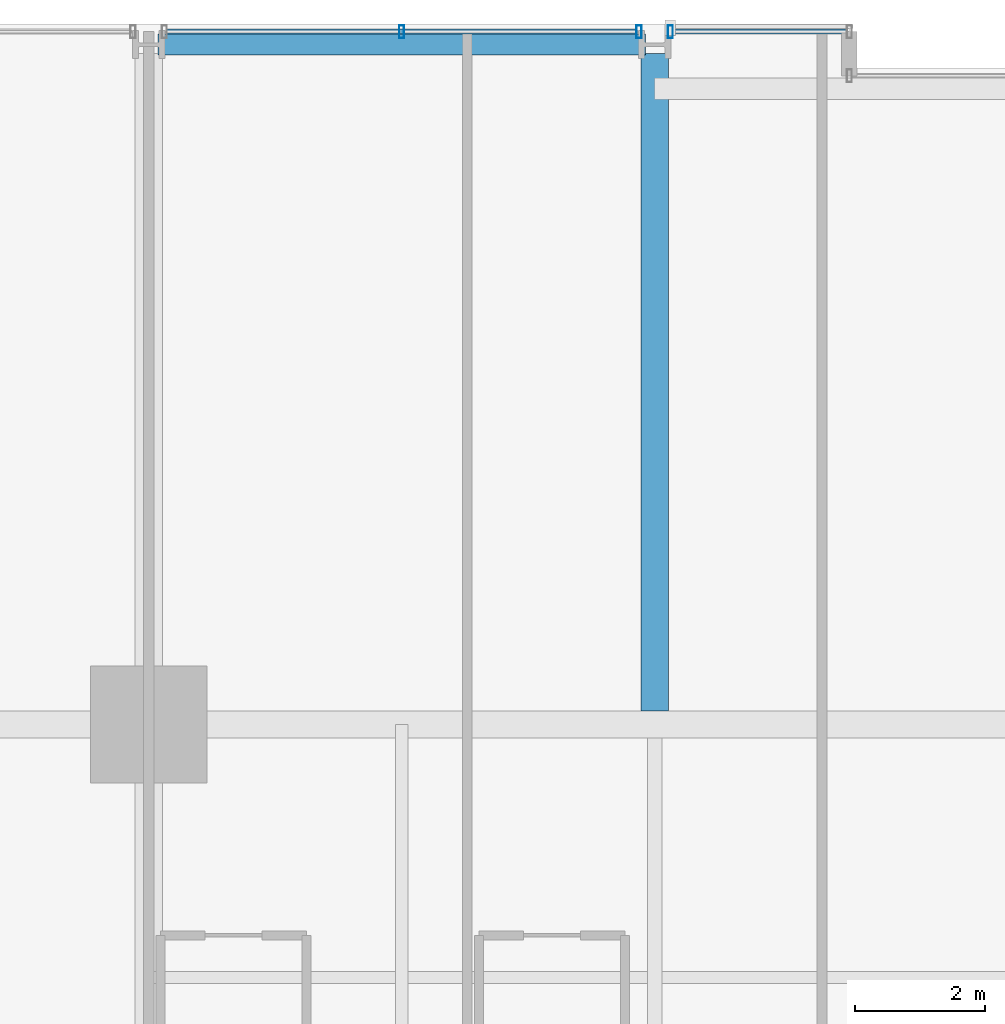
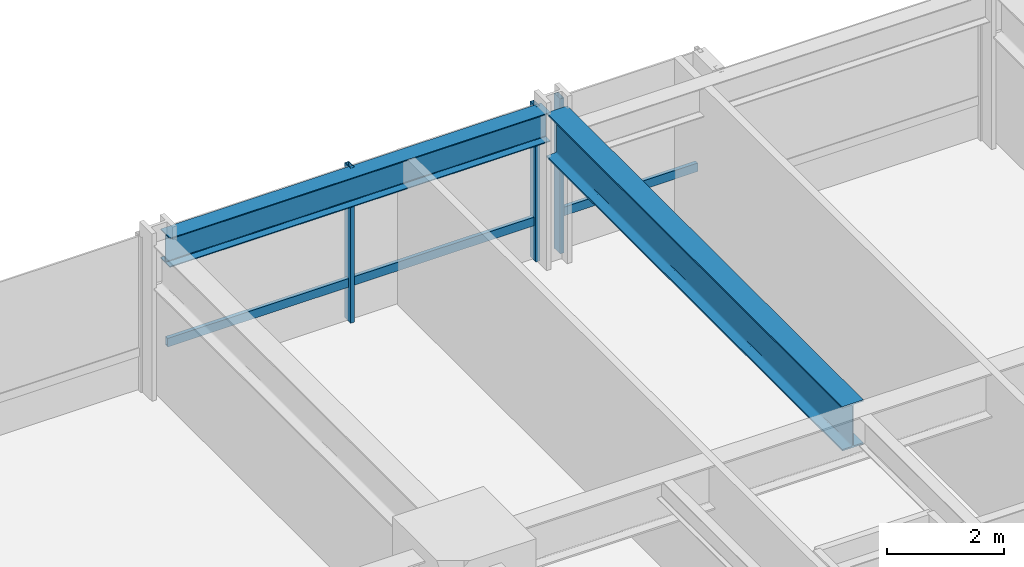
# One storey, part 22 of 39: 5 members, 2 beams, 2 elements without a shape of their own.
"""IFC4 building model written with IfcOpenShell, lengths in metres."""

import ifcopenshell
import ifcopenshell.guid

model = None  # the IFC model being written
_history = None  # IfcOwnerHistory: only IFC2X3 demands one
_inside = {}  # id of a spatial element -> (the spatial element, [elements in it])
_under = {}  # id of a project, library or spatial element -> (it, [spatial elements below it])
_declared = {}  # id of a project -> (the project, [libraries it declares])
_typed = {}  # id of a type object -> (the type object, [elements of that type])
_made_of = {}  # id of a material, layer set ... -> (it, [elements and type objects made of it])


def new_model(schema):
    """Start an empty IFC model of exactly this schema.

    Asked for "IFC4X3", IfcOpenShell would pick the latest addendum, in which some entities
    have other attributes; the version numbers below select the first issue.
    IFC2X3 requires an IfcOwnerHistory on every rooted entity: one is made here for all.
    """
    global model, _history
    if schema == "IFC4X3":
        model = ifcopenshell.file(schema_version=(4, 3, 0, 0))
    else:
        model = ifcopenshell.file(schema=schema)
    _inside.clear()
    _under.clear()
    _declared.clear()
    _typed.clear()
    _made_of.clear()
    _history = None
    if model.schema == "IFC2X3":
        org = make("IfcOrganization", Name="unknown")
        user = make(
            "IfcPersonAndOrganization",
            ThePerson=make("IfcPerson", FamilyName="unknown"),
            TheOrganization=org,
        )
        app = make(
            "IfcApplication",
            ApplicationDeveloper=org,
            Version="unknown",
            ApplicationFullName="unknown",
            ApplicationIdentifier="unknown",
        )
        _history = make(
            "IfcOwnerHistory",
            OwningUser=user,
            OwningApplication=app,
            ChangeAction="ADDED",
            CreationDate=0,
        )
    return model


def make(cls, **values):
    """One entity of the class cls with the attributes given. An attribute that is None is left unset."""
    return model.create_entity(
        cls, **{name: value for name, value in values.items() if value is not None}
    )


def rooted(cls, **values):
    """An entity with a GlobalId (a new one), such as an element, a storey or a relation."""
    return make(cls, GlobalId=ifcopenshell.guid.new(), OwnerHistory=_history, **values)


def si_unit(unit_type, name, prefix=None):
    """IfcSIUnit, for example si_unit("LENGTHUNIT", "METRE", prefix="MILLI")."""
    return make("IfcSIUnit", UnitType=unit_type, Prefix=prefix, Name=name)


def assignment(units):
    """IfcUnitAssignment: the units of a project."""
    return None if units is None else make("IfcUnitAssignment", Units=units)


def point(xyz):
    """IfcCartesianPoint."""
    return None if xyz is None else make("IfcCartesianPoint", Coordinates=xyz)


def direction(xyz):
    """IfcDirection."""
    return None if xyz is None else make("IfcDirection", DirectionRatios=xyz)


def frame(location, z_axis=None, x_axis=None):
    """IfcAxis2Placement3D, a coordinate frame: its origin and axes. An axis left out is left unset."""
    return make(
        "IfcAxis2Placement3D",
        Location=point(location),
        Axis=direction(z_axis),
        RefDirection=direction(x_axis),
    )


def frame_2d(location, x_axis=None):
    """IfcAxis2Placement2D, a coordinate frame in the plane: its origin and x axis."""
    return make(
        "IfcAxis2Placement2D", Location=point(location), RefDirection=direction(x_axis)
    )


def origin():
    """The frame at (0, 0, 0) with its axes left unset."""
    return frame((0.0, 0.0, 0.0))


def origin_2d():
    """The frame at (0, 0) in the plane with its x axis left unset."""
    return frame_2d((0.0, 0.0))


def place(relative_to, where):
    """IfcLocalPlacement: puts the frame where relative to a parent placement (None: the world)."""
    return make(
        "IfcLocalPlacement", PlacementRelTo=relative_to, RelativePlacement=where
    )


def context(
    kind, dimensions, precision=None, world=None, true_north=None, identifier=None
):
    """IfcGeometricRepresentationContext, for example the 3D "Model" context."""
    return make(
        "IfcGeometricRepresentationContext",
        ContextIdentifier=identifier,
        ContextType=kind,
        CoordinateSpaceDimension=dimensions,
        Precision=precision,
        WorldCoordinateSystem=world,
        TrueNorth=true_north,
    )


def subcontext(parent, identifier, kind, view, scale=None):
    """IfcGeometricRepresentationSubContext, for example "Body" below "Model"."""
    return make(
        "IfcGeometricRepresentationSubContext",
        ContextIdentifier=identifier,
        ContextType=kind,
        ParentContext=parent,
        TargetScale=scale,
        TargetView=view,
    )


def project(units=None, contexts=None):
    """IfcProject with its units and contexts."""
    return rooted(
        "IfcProject",
        Name="project",
        RepresentationContexts=contexts,
        UnitsInContext=assignment(units),
    )


def spatial(cls, under=None, at=None, **own):
    """A site, building, storey or space (cls), placed at a placement, below another one or the project."""
    s = rooted(cls, ObjectPlacement=at, **own)
    if under is not None:
        _under.setdefault(under.id(), (under, []))[1].append(s)
    return s


def profile(cls, at=None, kind="AREA", **sizes):
    """A parametric profile (cls). Its sizes go by their IFC names, for example OverallWidth=200.0."""
    return make(cls, ProfileType=kind, Position=at, **sizes)


def hollow_rectangle(**sizes):
    """IfcRectangleHollowProfileDef."""
    return profile("IfcRectangleHollowProfileDef", **sizes)


def i_section(**sizes):
    """IfcIShapeProfileDef."""
    return profile("IfcIShapeProfileDef", **sizes)


def extrude(swept, where, along, depth):
    """IfcExtrudedAreaSolid: the profile swept, set in the frame where, extruded along a direction by depth."""
    return make(
        "IfcExtrudedAreaSolid",
        SweptArea=swept,
        Position=where,
        ExtrudedDirection=direction(along),
        Depth=depth,
    )


def shape(context_of_items, identifier, shape_type, items):
    """IfcShapeRepresentation: the items that make up one representation, for example the "Body"."""
    return make(
        "IfcShapeRepresentation",
        ContextOfItems=context_of_items,
        RepresentationIdentifier=identifier,
        RepresentationType=shape_type,
        Items=items,
    )


def material(Name=None, Category=None):
    """IfcMaterial."""
    return make("IfcMaterial", Name=Name, Category=Category)


def layer(
    of_material, thickness, ventilated=None, Name=None, Category=None, Priority=None
):
    """IfcMaterialLayer: one layer of a wall or slab, of a material (None: an air gap)."""
    return make(
        "IfcMaterialLayer",
        Material=of_material,
        LayerThickness=thickness,
        IsVentilated=ventilated,
        Name=Name,
        Category=Category,
        Priority=Priority,
    )


def layer_set(layers, Name=None):
    """IfcMaterialLayerSet."""
    return make("IfcMaterialLayerSet", MaterialLayers=layers, LayerSetName=Name)


def material_profile(
    of_material, cross_section, Name=None, Category=None, Priority=None
):
    """IfcMaterialProfile: a cross section and its material."""
    return make(
        "IfcMaterialProfile",
        Name=Name,
        Material=of_material,
        Profile=cross_section,
        Priority=Priority,
        Category=Category,
    )


def profile_set(profiles, Name=None, composite=None):
    """IfcMaterialProfileSet."""
    return make(
        "IfcMaterialProfileSet",
        Name=Name,
        MaterialProfiles=profiles,
        CompositeProfile=composite,
    )


def made_of(thing, what):
    """Note that an element or type object is made of a material, layer set ...; save() writes the relation."""
    if what is not None:
        _made_of.setdefault(what.id(), (what, []))[1].append(thing)
    return thing


def type_object(cls, material=None, **own):
    """A type object (cls), such as IfcWallType, which elements share."""
    return made_of(rooted(cls, **own), material)


def element(
    cls,
    number,
    at=None,
    inside=None,
    cuts=None,
    type_object=None,
    material=None,
    context=None,
    identifier="Body",
    shape_type=None,
    held_by="IfcProductDefinitionShape",
    body=None,
    shapes=None,
    **own,
):
    """One element of the class cls, such as IfcWall. Its Tag is "e" and its number.

    at: its placement. inside: the storey or other place that contains it. cuts: it is an
    opening in that element (IfcRelVoidsElement). A single representation is given by context,
    identifier, shape_type and body (its items); several are given by shapes. held_by: the class
    of the entity that holds the representations. save() writes the other relations.
    """
    e = rooted(cls, Tag="e%d" % number, ObjectPlacement=at, **own)
    if body is not None:
        shapes = [shape(context, identifier, shape_type, body)]
    if shapes is not None:
        e.Representation = make(held_by, Representations=shapes)
    if inside is not None:
        _inside.setdefault(inside.id(), (inside, []))[1].append(e)
    if cuts is not None:
        rooted(
            "IfcRelVoidsElement", RelatingBuildingElement=cuts, RelatedOpeningElement=e
        )
    if type_object is not None:
        _typed.setdefault(type_object.id(), (type_object, []))[1].append(e)
    return made_of(e, material)


def aggregate(whole, parts):
    """IfcRelAggregates: a whole, such as a stair, and the parts it consists of."""
    return rooted("IfcRelAggregates", RelatingObject=whole, RelatedObjects=parts)


def save(model, path):
    """Write the relations noted so far, then the file.

    IfcRelAggregates (storeys below a building ...), IfcRelContainedInSpatialStructure (elements
    in a storey), IfcRelDefinesByType, IfcRelAssociatesMaterial and IfcRelDeclares: one each for
    every whole, place, type object, material and project.
    """
    for whole, parts in _under.values():
        aggregate(whole, parts)
    for where, things in _inside.values():
        rooted(
            "IfcRelContainedInSpatialStructure",
            RelatedElements=things,
            RelatingStructure=where,
        )
    for kind, things in _typed.values():
        rooted("IfcRelDefinesByType", RelatedObjects=things, RelatingType=kind)
    for what, things in _made_of.values():
        rooted("IfcRelAssociatesMaterial", RelatedObjects=things, RelatingMaterial=what)
    for by, libraries in _declared.values():
        rooted("IfcRelDeclares", RelatingContext=by, RelatedDefinitions=libraries)
    model.write(path)


model = new_model("IFC4")

# Units and contexts
model_context = context("Model", 3, precision=1e-05, world=origin(), true_north=direction((0.0, 1.0)))
body_context = subcontext(model_context, "Body", "Model", "MODEL_VIEW")
ifc_project = project(units=[si_unit("LENGTHUNIT", "METRE"), si_unit("AREAUNIT", "SQUARE_METRE"), si_unit("VOLUMEUNIT", "CUBIC_METRE"), si_unit("PLANEANGLEUNIT", "RADIAN"), si_unit("MASSUNIT", "GRAM", prefix="KILO")], contexts=[model_context])

# Site, building, storey
site_placement = place(None, origin())
site = spatial("IfcSite", under=ifc_project, at=site_placement, CompositionType="ELEMENT")
building_placement = place(site_placement, origin())
building = spatial("IfcBuilding", under=site, at=building_placement, Name="Drelvath Grand Hotel", CompositionType="ELEMENT")
storey_placement = place(building_placement, frame((0.0, 0.0, 40.199951171875)))
storey = spatial("IfcBuildingStorey", under=building, at=storey_placement, Name="L08", CompositionType="ELEMENT", Elevation=40.199951171875)

# Curtain wall, member
ifc_material_1 = material(Name="Warm Bronze Anodised Aluminium Frame", Category="aluminium")
ifc_layer = layer(ifc_material_1, 0.199951171875)
ifc_layer_set = layer_set([ifc_layer], Name="Warm Bronze Anodised Aluminium Frame")
curtain_wall_type = type_object("IfcCurtainWallType", Name="Stick Curtain Wall CW-02 Warm Bronze Low-Rise", PredefinedType="NOTDEFINED", material=ifc_layer_set)
curtain_wall_1_placement = place(storey_placement, origin())
curtain_wall_1 = element("IfcCurtainWall", 1, at=curtain_wall_1_placement, inside=storey, type_object=curtain_wall_type, Name="L08 CW-02 Curtain Wall CW02-L08-NW2", PredefinedType="NOTDEFINED")
ifc_material_profile_1 = material_profile(ifc_material_1, hollow_rectangle(XDim=0.074951171875, YDim=0.179931640625, WallThickness=0.0048828125, at=origin_2d()), Name="HSS180X75X5")
ifc_profile_set_1 = profile_set([ifc_material_profile_1], Name="Warm Bronze Anodised Aluminium Frame")
member_type_1 = type_object("IfcMemberType", Name="Curtain Wall Horizontal Transom CW-02 HSS180X75X5", PredefinedType="USERDEFINED", material=ifc_profile_set_1)
member_1_placement = place(storey_placement, frame((-15.919189453125, 53.8798828125, 0.81005859375), z_axis=(1.0, 0.0, 0.0), x_axis=(0.0, 1.0, 0.0)))
member_1 = element("IfcMember", 2, at=member_1_placement, type_object=member_type_1, Name="CW02-L08-NW2 Sill Transom", ObjectType="TRANSOM", PredefinedType="USERDEFINED", context=body_context, shape_type="SweptSolid", body=[
    extrude(hollow_rectangle(XDim=0.074951171875, YDim=0.179931640625, WallThickness=0.0048828125, at=origin_2d()), origin(), (0.0, 0.0, 1.0), 7.23828125),
])

curtain_wall_2_placement = place(storey_placement, origin())
curtain_wall_2 = element("IfcCurtainWall", 3, at=curtain_wall_2_placement, inside=storey, type_object=curtain_wall_type, Name="L08 CW-02 Curtain Wall CW02-L08-NW3", PredefinedType="NOTDEFINED")
member_2_placement = place(storey_placement, frame((-8.119140625, 53.8798828125, 0.81005859375), z_axis=(1.0, 0.0, 0.0), x_axis=(0.0, 1.0, 0.0)))
member_2 = element("IfcMember", 4, at=member_2_placement, type_object=member_type_1, Name="CW02-L08-NW3 Sill Transom", ObjectType="TRANSOM", PredefinedType="USERDEFINED", context=body_context, shape_type="SweptSolid", body=[
    extrude(hollow_rectangle(XDim=0.074951171875, YDim=0.179931640625, WallThickness=0.0048828125, at=origin_2d()), origin(), (0.0, 0.0, 1.0), 2.67919921875),
])

# Member
ifc_material_profile_2 = material_profile(ifc_material_1, hollow_rectangle(XDim=0.080078125, YDim=0.199951171875, WallThickness=0.0048828125, at=origin_2d()), Name="HSS200X80X5")
ifc_profile_set_2 = profile_set([ifc_material_profile_2], Name="Warm Bronze Anodised Aluminium Frame")
member_type_2 = type_object("IfcMemberType", Name="Curtain Wall Vertical Mullion CW-02 HSS200X80X5", PredefinedType="MULLION", material=ifc_profile_set_2)
member_3_placement = place(storey_placement, frame((-12.300048828125, 53.8798828125, 0.0), z_axis=(0.0, 0.0, 1.0), x_axis=(1.0, 0.0, 0.0)))
member_3 = element("IfcMember", 5, at=member_3_placement, type_object=member_type_2, Name="CW02-L08-NW2 Mullion 2", PredefinedType="MULLION", context=body_context, shape_type="SweptSolid", body=[
    extrude(hollow_rectangle(XDim=0.080078125, YDim=0.199951171875, WallThickness=0.0048828125, at=origin_2d()), origin(), (0.0, 0.0, 1.0), 3.239990234375),
])

member_4_placement = place(storey_placement, frame((-8.640869140625, 53.8798828125, 0.0), z_axis=(0.0, 0.0, 1.0), x_axis=(1.0, 0.0, 0.0)))
member_4 = element("IfcMember", 6, at=member_4_placement, type_object=member_type_2, Name="CW02-L08-NW2 Mullion 3", PredefinedType="MULLION", context=body_context, shape_type="SweptSolid", body=[
    extrude(hollow_rectangle(XDim=0.080078125, YDim=0.199951171875, WallThickness=0.0048828125, at=origin_2d()), origin(), (0.0, 0.0, 1.0), 3.239990234375),
])

aggregate(curtain_wall_1, [member_3, member_4, member_1])

member_5_placement = place(storey_placement, frame((-8.1591796875, 53.8798828125, 0.0), z_axis=(0.0, 0.0, 1.0), x_axis=(1.0, 0.0, 0.0)))
member_5 = element("IfcMember", 7, at=member_5_placement, type_object=member_type_2, Name="CW02-L08-NW3 Mullion 1", PredefinedType="MULLION", context=body_context, shape_type="SweptSolid", body=[
    extrude(hollow_rectangle(XDim=0.080078125, YDim=0.199951171875, WallThickness=0.0048828125, at=origin_2d()), origin(), (0.0, 0.0, 1.0), 3.239990234375),
])

aggregate(curtain_wall_2, [member_5, member_2])

# Beams
ifc_material_2 = material(Name="Steel ASTM A992 Gr 50", Category="steel")
ifc_material_profile_3 = material_profile(ifc_material_2, i_section(OverallWidth=0.323974609375, OverallDepth=0.611083984375, WebThickness=0.0126953125, FlangeThickness=0.01904296875, FilletRadius=0.02197265625, at=origin_2d()), Name="W24X104")
ifc_profile_set_3 = profile_set([ifc_material_profile_3], Name="Steel ASTM A992 Gr 50")
beam_type_1 = type_object("IfcBeamType", Name="Perimeter Spandrel Beam W24X104", PredefinedType="SPANDREL", material=ifc_profile_set_3)
beam_1_placement = place(storey_placement, frame((-16.06005859375, 53.679931640625, 2.9345703125), z_axis=(1.0, 0.0, 0.0), x_axis=(0.0, 1.0, 0.0)))
element("IfcBeam", 8, at=beam_1_placement, inside=storey, type_object=beam_type_1, Name="L08 Spandrel North W", PredefinedType="SPANDREL", context=body_context, shape_type="SweptSolid", body=[
    extrude(i_section(OverallWidth=0.323974609375, OverallDepth=0.611083984375, WebThickness=0.0126953125, FlangeThickness=0.01904296875, FilletRadius=0.02197265625, at=origin_2d()), origin(), (0.0, 0.0, 1.0), 7.52001953125),
])
ifc_material_profile_4 = material_profile(ifc_material_2, i_section(OverallWidth=0.418212890625, OverallDepth=0.926513671875, WebThickness=0.019287109375, FlangeThickness=0.031982421875, FilletRadius=0.028076171875, at=origin_2d()), Name="W36X231")
ifc_profile_set_4 = profile_set([ifc_material_profile_4], Name="Steel ASTM A992 Gr 50")
beam_type_2 = type_object("IfcBeamType", Name="Primary Floor Girder W36X231", PredefinedType="BEAM", material=ifc_profile_set_4)
beam_2_placement = place(storey_placement, frame((-8.39990234375, 43.4091796875, 2.77685546875), z_axis=(0.0, 1.0, 0.0), x_axis=(-1.0, 0.0, 0.0)))
element("IfcBeam", 9, at=beam_2_placement, inside=storey, type_object=beam_type_2, Name="L08 North Wing Girder 4", PredefinedType="BEAM", context=body_context, shape_type="SweptSolid", body=[
    extrude(i_section(OverallWidth=0.418212890625, OverallDepth=0.926513671875, WebThickness=0.019287109375, FlangeThickness=0.031982421875, FilletRadius=0.028076171875, at=origin_2d()), origin(), (0.0, 0.0, 1.0), 10.130859375),
])

save(model, "model.ifc")
